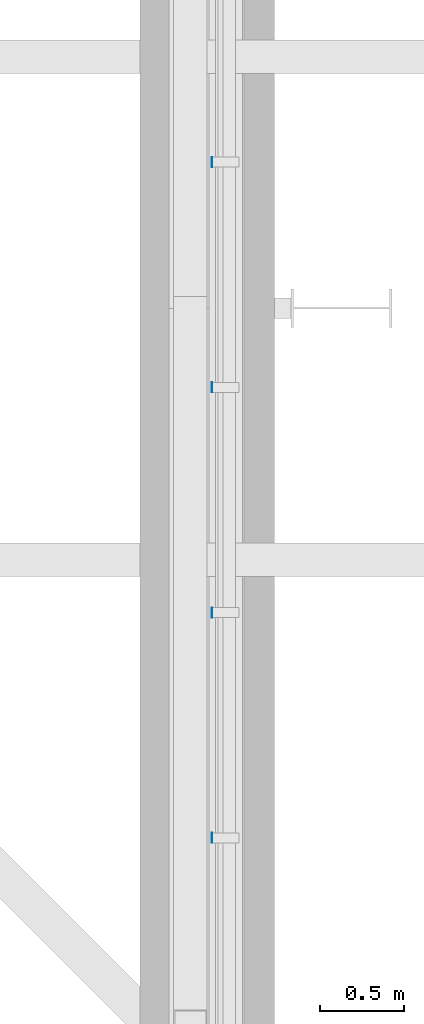
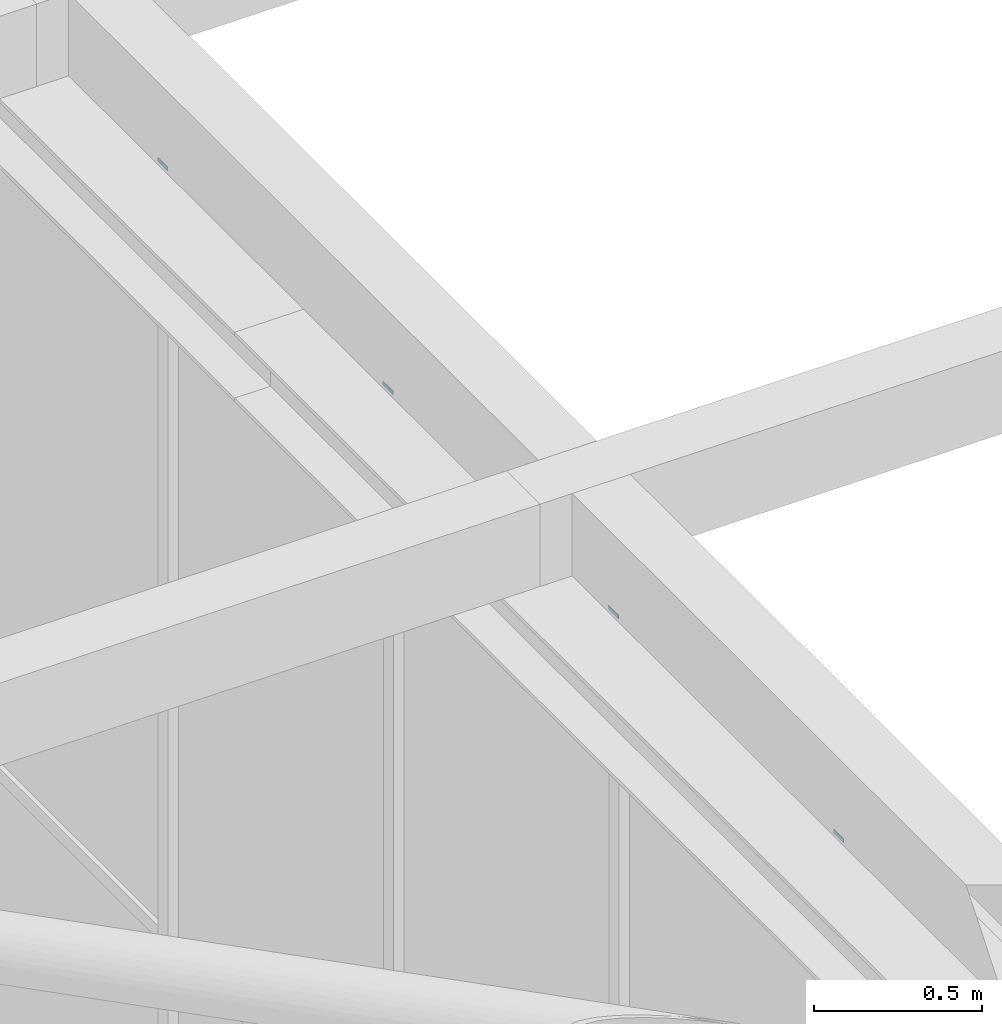
# One storey, part 430 of 646: 4 discrete accessories.
"""IFC4 building model written with IfcOpenShell, lengths in metres."""

from ifc_helpers import new_model, si_unit, direction, frame, origin, origin_2d, place, context, subcontext, project, spatial, rectangle, extrude, material, type_object, element, save


model = new_model("IFC4")

# Units and contexts
model_context = context("Model", 3, precision=1e-05, world=origin(), true_north=direction((0.0, 1.0)))
body_context = subcontext(model_context, "Body", "Model", "MODEL_VIEW")
ifc_project = project(units=[si_unit("LENGTHUNIT", "METRE"), si_unit("AREAUNIT", "SQUARE_METRE"), si_unit("VOLUMEUNIT", "CUBIC_METRE"), si_unit("PLANEANGLEUNIT", "RADIAN"), si_unit("MASSUNIT", "GRAM", prefix="KILO")], contexts=[model_context])

# Site, building, storey
site_placement = place(None, origin())
site = spatial("IfcSite", under=ifc_project, at=site_placement, CompositionType="ELEMENT")
building_placement = place(site_placement, origin())
building = spatial("IfcBuilding", under=site, at=building_placement, Name="Silverbay Arena", CompositionType="ELEMENT")
storey_placement = place(building_placement, frame((0.0, 0.0, 33.5)))
storey = spatial("IfcBuildingStorey", under=building, at=storey_placement, Name="L05", CompositionType="ELEMENT", Elevation=33.5)

# Discrete accessories
ifc_material = material(Name="Steel S355", Category="steel")
discrete_accessory_type = type_object("IfcDiscreteAccessoryType", Name="Steel bracket plate", PredefinedType="BRACKET", material=ifc_material)
for number, where, z_axis, x_axis, name in (
    (1, (207.128662109375, 19.3427734375, 12.98583984375), (0.0, 0.0, 1.0), (1.0, 0.0, 0.0), "Curtain wall packing plate"),
    (2, (207.128662109375, 20.685791015625, 12.98583984375), (0.0, 0.0, 1.0), (1.0, 0.0, 0.0), "Curtain wall packing plate"),
    (3, (207.128662109375, 22.028564453125, 12.98583984375), (0.0, 0.0, 1.0), (1.0, 0.0, 0.0), "Curtain wall packing plate"),
    (4, (207.128662109375, 23.371337890625, 12.98583984375), (0.0, 0.0, 1.0), (1.0, 0.0, 0.0), "Curtain wall packing plate"),
):
    element("IfcDiscreteAccessory", number, at=place(storey_placement, frame(where, z_axis=z_axis, x_axis=x_axis)), inside=storey, type_object=discrete_accessory_type, Name=name, PredefinedType="BRACKET", context=body_context, shape_type="SweptSolid", body=[
        extrude(rectangle(XDim=0.002685546875, YDim=0.06005859375, at=origin_2d()), origin(), (0.0, 0.0, 1.0), 0.01416015625),
    ])

save(model, "model.ifc")
